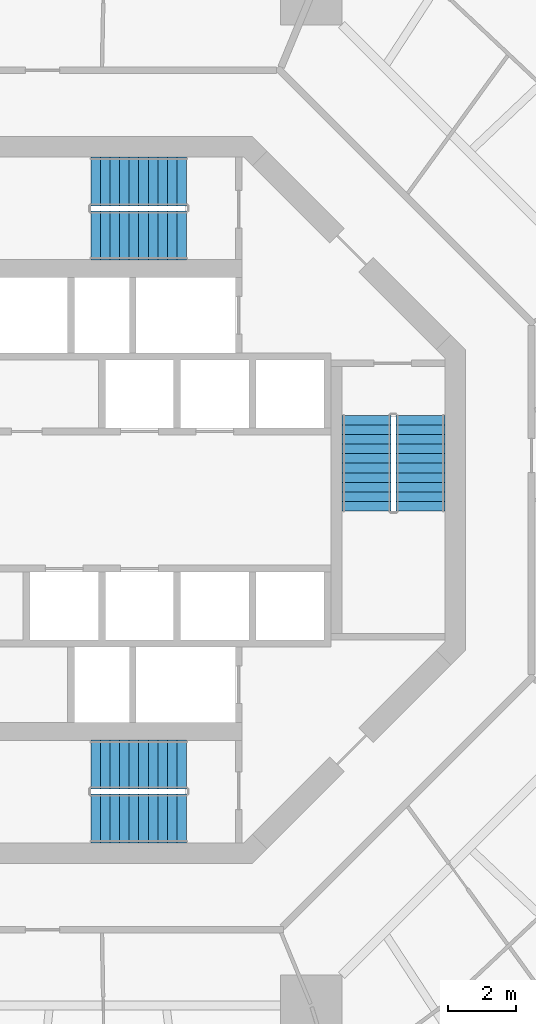
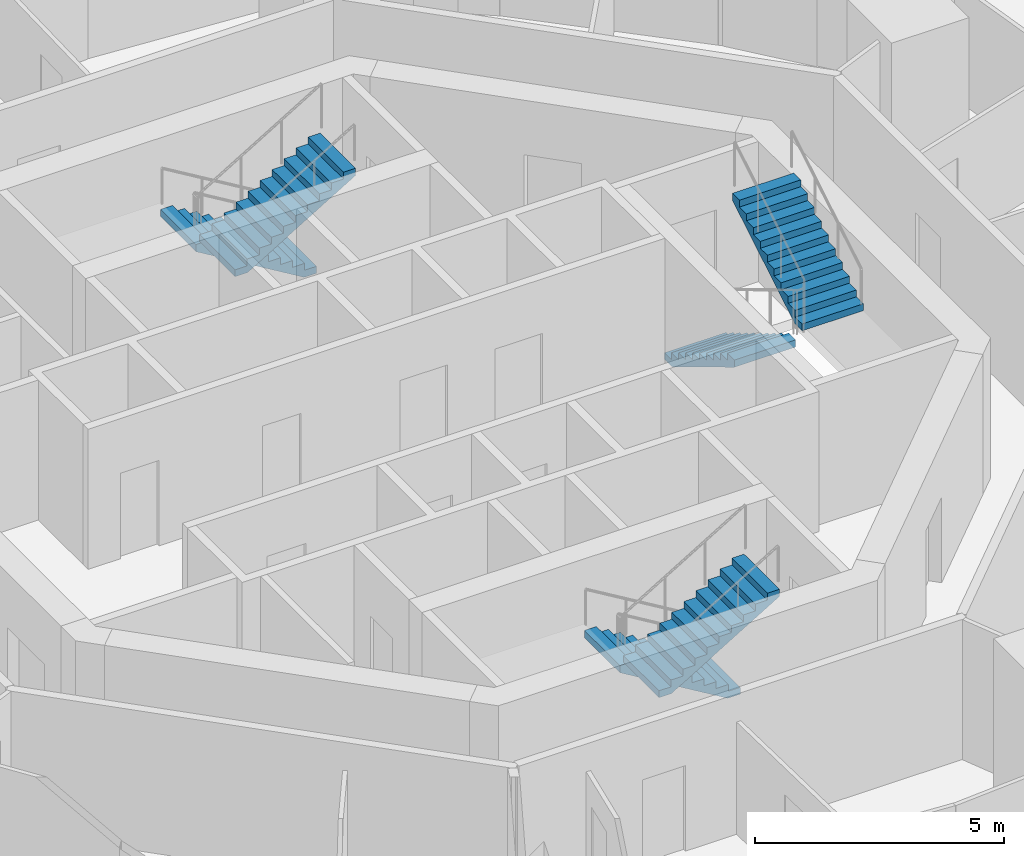
# One storey, part 16 of 19: 6 stair flights, 3 elements without a shape of their own.
"""IFC4 building model written with IfcOpenShell, lengths in metres."""

from ifc_helpers import new_model, si_unit, direction, frame, origin, place, context, subcontext, project, spatial, polyline, outline, extrude, material, type_object, element, aggregate, save


model = new_model("IFC4")

# Units and contexts
model_context = context("Model", 3, precision=1e-05, world=origin(), true_north=direction((0.0, 1.0)))
body_context = subcontext(model_context, "Body", "Model", "MODEL_VIEW")
ifc_project = project(units=[si_unit("LENGTHUNIT", "METRE"), si_unit("AREAUNIT", "SQUARE_METRE"), si_unit("VOLUMEUNIT", "CUBIC_METRE"), si_unit("PLANEANGLEUNIT", "RADIAN"), si_unit("MASSUNIT", "GRAM", prefix="KILO")], contexts=[model_context])

# Site, building, storey
site_placement = place(None, origin())
site = spatial("IfcSite", under=ifc_project, at=site_placement, CompositionType="ELEMENT")
building_placement = place(site_placement, origin())
building = spatial("IfcBuilding", under=site, at=building_placement, Name="Nagisa Residences", CompositionType="ELEMENT")
storey_placement = place(building_placement, frame((0.0, 0.0, 173.300048828125)))
storey = spatial("IfcBuildingStorey", under=building, at=storey_placement, Name="L43", CompositionType="ELEMENT", Elevation=173.300048828125)

# Stair, stair flights
ifc_material_1 = material(Name="Concrete C60", Category="concrete")
stair_type = type_object("IfcStairType", Name="Exit stair", PredefinedType="HALF_TURN_STAIR", material=ifc_material_1)
stair_1_placement = place(storey_placement, origin())
stair_1 = element("IfcStair", 1, at=stair_1_placement, inside=storey, type_object=stair_type, Name="L43 Exit stair E", PredefinedType="HALF_TURN_STAIR")
ifc_material_2 = material(Name="Concrete C60", Category="concrete")
stair_flight_type = type_object("IfcStairFlightType", Name="Exit stair flight", PredefinedType="STRAIGHT", material=ifc_material_2)
stair_flight_1_placement = place(storey_placement, frame((7.737060546875, 2.47509765625, 0.0), z_axis=(0.0, 0.0, 1.0), x_axis=(0.0, -1.0, 0.0)))
stair_flight_1 = element("IfcStairFlight", 2, at=stair_flight_1_placement, type_object=stair_flight_type, Name="ST-E flight 1", NumberOfRisers=11, NumberOfTreads=10, PredefinedType="STRAIGHT", RiserHeight=0.168181818, TreadLength=0.28, context=body_context, shape_type="SweptSolid", body=[
    extrude(outline(polyline([(0.0, 0.0), (0.0, 0.168212890625), (0.280029296875, 0.168212890625), (0.280029296875, 0.33642578125), (0.56005859375, 0.33642578125), (0.56005859375, 0.504638671875), (0.840087890625, 0.504638671875), (0.840087890625, 0.672607421875), (1.1201171875, 0.672607421875), (1.1201171875, 0.8408203125), (1.39990234375, 0.8408203125), (1.39990234375, 1.009033203125), (1.679931640625, 1.009033203125), (1.679931640625, 1.17724609375), (1.9599609375, 1.17724609375), (1.9599609375, 1.345458984375), (2.239990234375, 1.345458984375), (2.239990234375, 1.513671875), (2.52001953125, 1.513671875), (2.52001953125, 1.681884765625), (2.800048828125, 1.681884765625), (2.800048828125, 1.85009765625), (2.800048828125, 1.5068359375), (0.291015625, 0.0), (0.0, 0.0)])), frame((0.0, 0.71240234375, 0.0), z_axis=(0.0, -1.0, 0.0), x_axis=(1.0, 0.0, 0.0)), (0.0, 0.0, 1.0), 1.425048828125),
])
stair_flight_2_placement = place(storey_placement, frame((9.31201171875, -0.324951171875, 1.849853515625), z_axis=(0.0, 0.0, 1.0), x_axis=(0.0, 1.0, 0.0)))
stair_flight_2 = element("IfcStairFlight", 3, at=stair_flight_2_placement, type_object=stair_flight_type, Name="ST-E flight 2", NumberOfRisers=11, NumberOfTreads=10, PredefinedType="STRAIGHT", RiserHeight=0.168181818, TreadLength=0.28, context=body_context, shape_type="SweptSolid", body=[
    extrude(outline(polyline([(0.0, 0.0), (0.0, 0.168212890625), (0.280029296875, 0.168212890625), (0.280029296875, 0.33642578125), (0.56005859375, 0.33642578125), (0.56005859375, 0.504638671875), (0.840087890625, 0.504638671875), (0.840087890625, 0.672607421875), (1.1201171875, 0.672607421875), (1.1201171875, 0.8408203125), (1.39990234375, 0.8408203125), (1.39990234375, 1.009033203125), (1.679931640625, 1.009033203125), (1.679931640625, 1.17724609375), (1.9599609375, 1.17724609375), (1.9599609375, 1.345458984375), (2.239990234375, 1.345458984375), (2.239990234375, 1.513671875), (2.52001953125, 1.513671875), (2.52001953125, 1.681884765625), (2.800048828125, 1.681884765625), (2.800048828125, 1.85009765625), (2.800048828125, 1.5068359375), (0.291015625, 0.0), (0.0, 0.0)])), frame((0.0, 0.71240234375, 0.0), z_axis=(0.0, -1.0, 0.0), x_axis=(1.0, 0.0, 0.0)), (0.0, 0.0, 1.0), 1.425048828125),
])
aggregate(stair_1, [stair_flight_1, stair_flight_2])

stair_2_placement = place(storey_placement, origin())
stair_2 = element("IfcStair", 4, at=stair_2_placement, inside=storey, type_object=stair_type, Name="L43 Exit stair N", PredefinedType="HALF_TURN_STAIR")
stair_flight_3_placement = place(storey_placement, frame((2.47509765625, 9.31201171875, 0.0), z_axis=(0.0, 0.0, 1.0), x_axis=(-1.0, 0.0, 0.0)))
stair_flight_3 = element("IfcStairFlight", 5, at=stair_flight_3_placement, type_object=stair_flight_type, Name="ST-N flight 1", NumberOfRisers=11, NumberOfTreads=10, PredefinedType="STRAIGHT", RiserHeight=0.168181818, TreadLength=0.28, context=body_context, shape_type="SweptSolid", body=[
    extrude(outline(polyline([(0.0, 0.0), (0.0, 0.168212890625), (0.280029296875, 0.168212890625), (0.280029296875, 0.33642578125), (0.56005859375, 0.33642578125), (0.56005859375, 0.504638671875), (0.840087890625, 0.504638671875), (0.840087890625, 0.672607421875), (1.1201171875, 0.672607421875), (1.1201171875, 0.8408203125), (1.39990234375, 0.8408203125), (1.39990234375, 1.009033203125), (1.679931640625, 1.009033203125), (1.679931640625, 1.17724609375), (1.9599609375, 1.17724609375), (1.9599609375, 1.345458984375), (2.239990234375, 1.345458984375), (2.239990234375, 1.513671875), (2.52001953125, 1.513671875), (2.52001953125, 1.681884765625), (2.800048828125, 1.681884765625), (2.800048828125, 1.85009765625), (2.800048828125, 1.5068359375), (0.291015625, 0.0), (0.0, 0.0)])), frame((0.0, 0.71240234375, 0.0), z_axis=(0.0, -1.0, 0.0), x_axis=(1.0, 0.0, 0.0)), (0.0, 0.0, 1.0), 1.425048828125),
])
stair_flight_4_placement = place(storey_placement, frame((-0.324951171875, 7.737060546875, 1.849853515625), z_axis=(0.0, 0.0, 1.0), x_axis=(1.0, 0.0, 0.0)))
stair_flight_4 = element("IfcStairFlight", 6, at=stair_flight_4_placement, type_object=stair_flight_type, Name="ST-N flight 2", NumberOfRisers=11, NumberOfTreads=10, PredefinedType="STRAIGHT", RiserHeight=0.168181818, TreadLength=0.28, context=body_context, shape_type="SweptSolid", body=[
    extrude(outline(polyline([(0.0, 0.0), (0.0, 0.168212890625), (0.280029296875, 0.168212890625), (0.280029296875, 0.33642578125), (0.56005859375, 0.33642578125), (0.56005859375, 0.504638671875), (0.840087890625, 0.504638671875), (0.840087890625, 0.672607421875), (1.1201171875, 0.672607421875), (1.1201171875, 0.8408203125), (1.39990234375, 0.8408203125), (1.39990234375, 1.009033203125), (1.679931640625, 1.009033203125), (1.679931640625, 1.17724609375), (1.9599609375, 1.17724609375), (1.9599609375, 1.345458984375), (2.239990234375, 1.345458984375), (2.239990234375, 1.513671875), (2.52001953125, 1.513671875), (2.52001953125, 1.681884765625), (2.800048828125, 1.681884765625), (2.800048828125, 1.85009765625), (2.800048828125, 1.5068359375), (0.291015625, 0.0), (0.0, 0.0)])), frame((0.0, 0.71240234375, 0.0), z_axis=(0.0, -1.0, 0.0), x_axis=(1.0, 0.0, 0.0)), (0.0, 0.0, 1.0), 1.425048828125),
])
aggregate(stair_2, [stair_flight_3, stair_flight_4])

stair_3_placement = place(storey_placement, origin())
stair_3 = element("IfcStair", 7, at=stair_3_placement, inside=storey, type_object=stair_type, Name="L43 Exit stair S", PredefinedType="HALF_TURN_STAIR")
stair_flight_5_placement = place(storey_placement, frame((2.47509765625, -7.737060546875, 0.0), z_axis=(0.0, 0.0, 1.0), x_axis=(-1.0, 0.0, 0.0)))
stair_flight_5 = element("IfcStairFlight", 8, at=stair_flight_5_placement, type_object=stair_flight_type, Name="ST-S flight 1", NumberOfRisers=11, NumberOfTreads=10, PredefinedType="STRAIGHT", RiserHeight=0.168181818, TreadLength=0.28, context=body_context, shape_type="SweptSolid", body=[
    extrude(outline(polyline([(0.0, 0.0), (0.0, 0.168212890625), (0.280029296875, 0.168212890625), (0.280029296875, 0.33642578125), (0.56005859375, 0.33642578125), (0.56005859375, 0.504638671875), (0.840087890625, 0.504638671875), (0.840087890625, 0.672607421875), (1.1201171875, 0.672607421875), (1.1201171875, 0.8408203125), (1.39990234375, 0.8408203125), (1.39990234375, 1.009033203125), (1.679931640625, 1.009033203125), (1.679931640625, 1.17724609375), (1.9599609375, 1.17724609375), (1.9599609375, 1.345458984375), (2.239990234375, 1.345458984375), (2.239990234375, 1.513671875), (2.52001953125, 1.513671875), (2.52001953125, 1.681884765625), (2.800048828125, 1.681884765625), (2.800048828125, 1.85009765625), (2.800048828125, 1.5068359375), (0.291015625, 0.0), (0.0, 0.0)])), frame((0.0, 0.71240234375, 0.0), z_axis=(0.0, -1.0, 0.0), x_axis=(1.0, 0.0, 0.0)), (0.0, 0.0, 1.0), 1.425048828125),
])
stair_flight_6_placement = place(storey_placement, frame((-0.324951171875, -9.31201171875, 1.849853515625), z_axis=(0.0, 0.0, 1.0), x_axis=(1.0, 0.0, 0.0)))
stair_flight_6 = element("IfcStairFlight", 9, at=stair_flight_6_placement, type_object=stair_flight_type, Name="ST-S flight 2", NumberOfRisers=11, NumberOfTreads=10, PredefinedType="STRAIGHT", RiserHeight=0.168181818, TreadLength=0.28, context=body_context, shape_type="SweptSolid", body=[
    extrude(outline(polyline([(0.0, 0.0), (0.0, 0.168212890625), (0.280029296875, 0.168212890625), (0.280029296875, 0.33642578125), (0.56005859375, 0.33642578125), (0.56005859375, 0.504638671875), (0.840087890625, 0.504638671875), (0.840087890625, 0.672607421875), (1.1201171875, 0.672607421875), (1.1201171875, 0.8408203125), (1.39990234375, 0.8408203125), (1.39990234375, 1.009033203125), (1.679931640625, 1.009033203125), (1.679931640625, 1.17724609375), (1.9599609375, 1.17724609375), (1.9599609375, 1.345458984375), (2.239990234375, 1.345458984375), (2.239990234375, 1.513671875), (2.52001953125, 1.513671875), (2.52001953125, 1.681884765625), (2.800048828125, 1.681884765625), (2.800048828125, 1.85009765625), (2.800048828125, 1.5068359375), (0.291015625, 0.0), (0.0, 0.0)])), frame((0.0, 0.71240234375, 0.0), z_axis=(0.0, -1.0, 0.0), x_axis=(1.0, 0.0, 0.0)), (0.0, 0.0, 1.0), 1.425048828125),
])
aggregate(stair_3, [stair_flight_5, stair_flight_6])

save(model, "model.ifc")
